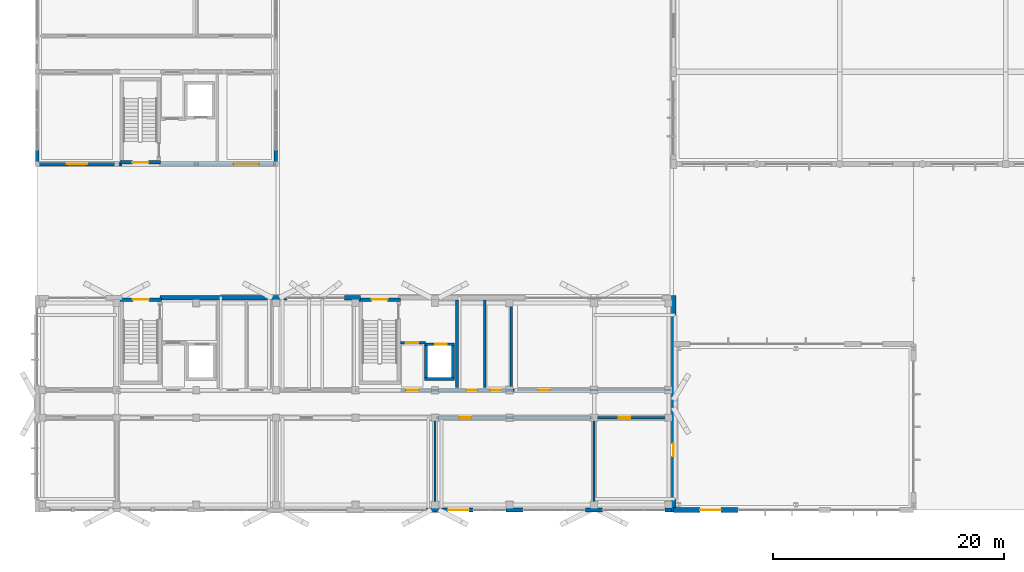
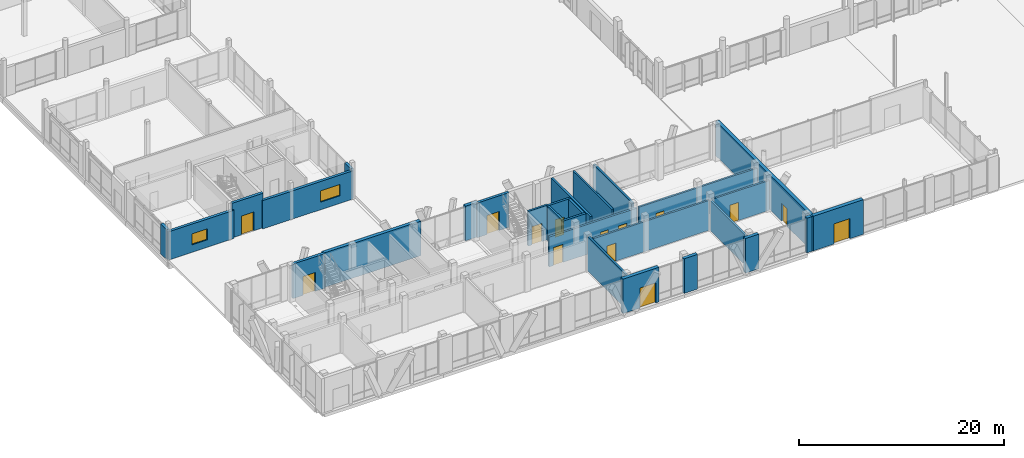
# One storey, part 191 of 233: 29 walls, 14 doors, 2 windows, 16 openings.
"""IFC4 building model written with IfcOpenShell, lengths in metres."""

from ifc_helpers import new_model, si_unit, direction, frame, frame_2d, origin, origin_with_axes, place, context, subcontext, project, spatial, rectangle, extrude, material, layer, layer_set, type_object, element, fill, save


model = new_model("IFC4")

# Units and contexts
model_context = context("Model", 3, precision=1e-05, world=origin(), true_north=direction((0.0, 1.0)))
body_context = subcontext(model_context, "Body", "Model", "MODEL_VIEW")
ifc_project = project(units=[si_unit("LENGTHUNIT", "METRE"), si_unit("AREAUNIT", "SQUARE_METRE"), si_unit("VOLUMEUNIT", "CUBIC_METRE"), si_unit("PLANEANGLEUNIT", "RADIAN"), si_unit("MASSUNIT", "GRAM", prefix="KILO")], contexts=[model_context])

# Site, building, storey
site_placement = place(None, origin())
site = spatial("IfcSite", under=ifc_project, at=site_placement, CompositionType="ELEMENT")
building_placement = place(site_placement, origin())
building = spatial("IfcBuilding", under=site, at=building_placement, Name="Zavelmont Quarter", CompositionType="ELEMENT")
storey_placement = place(building_placement, origin())
storey = spatial("IfcBuildingStorey", under=building, at=storey_placement, Name="L00", CompositionType="ELEMENT", Elevation=0.0)

# Wall, opening, door
ifc_material_1 = material(Name="Natural Belgian limestone", Category="masonry")
ifc_layer_1 = layer(ifc_material_1, 0.3798828125)
ifc_layer_set_1 = layer_set([ifc_layer_1], Name="Natural Belgian limestone")
wall_type_1 = type_object("IfcWallType", Name="EW01", PredefinedType="STANDARD", material=ifc_layer_set_1)
wall_1_placement = place(storey_placement, frame((33.75, 0.0, 0.0), z_axis=(0.0, 0.0, 1.0), x_axis=(1.0, 0.0, 0.0)))
wall_1 = element("IfcWall", 1, at=wall_1_placement, inside=storey, type_object=wall_type_1, Name="L00 exterior limestone wall EW01", PredefinedType="STANDARD", context=body_context, shape_type="SweptSolid", body=[
    extrude(rectangle(XDim=4.050048828125, YDim=0.3798828125, at=frame_2d((2.02490234375, 0.0))), origin(), (0.0, 0.0, 1.0), 4.1201171875),
])
opening_1_placement = place(wall_1_placement, frame((1.89990234375, 0.0, 0.0)))
opening_1 = element("IfcOpeningElement", 2, at=opening_1_placement, cuts=wall_1, Name="Opening DR01", PredefinedType="OPENING", context=body_context, shape_type="SweptSolid", body=[
    extrude(rectangle(XDim=1.800048828125, YDim=2.39990234375, at=frame_2d((0.89990234375, 1.199951171875))), frame((0.0, 0.201904296875, 0.0), z_axis=(0.0, -1.0, 0.0), x_axis=(1.0, 0.0, 0.0)), (0.0, 0.0, 1.0), 0.40380859375),
])
ifc_material_2 = material(Name="Powder-coated aluminium and tempered double safety glass", Category="aluminium")
door_type_1 = type_object("IfcDoorType", Name="DR01", OperationType="DOUBLE_DOOR_SINGLE_SWING", PredefinedType="DOOR", material=ifc_material_2)
door_1_placement = place(opening_1_placement, frame((1.800048828125, 0.0, 0.0), z_axis=(0.0, 0.0, 1.0), x_axis=(-1.0, 0.0, 0.0)))
door_1 = element("IfcDoor", 3, at=door_1_placement, inside=storey, type_object=door_type_1, Name="Block A street entrance final exit door", OperationType="DOUBLE_DOOR_SINGLE_SWING", OverallHeight=2.39990234375, OverallWidth=1.800048828125, PredefinedType="DOOR", context=body_context, shape_type="SweptSolid", body=[
    extrude(rectangle(XDim=1.800048828125, YDim=2.39990234375, at=frame_2d((0.89990234375, 1.199951171875))), frame((0.0, 0.02490234375, 0.0), z_axis=(0.0, -1.0, 0.0), x_axis=(1.0, 0.0, 0.0)), (0.0, 0.0, 1.0), 0.050048828125),
])
fill(opening_1, door_1)

# Walls
for number, where, z_axis, x_axis, name in (
    (4, (40.64990234375, 0.0, 0.0), (0.0, 0.0, 1.0), (1.0, 0.0, 0.0), "L00 exterior limestone wall EW01"),
    (5, (47.550048828125, 0.0, 0.0), (0.0, 0.0, 1.0), (1.0, 0.0, 0.0), "L00 exterior limestone wall EW01"),
):
    element("IfcWall", number, at=place(storey_placement, frame(where, z_axis=z_axis, x_axis=x_axis)), inside=storey, type_object=wall_type_1, Name=name, PredefinedType="STANDARD", context=body_context, shape_type="SweptSolid", body=[
        extrude(rectangle(XDim=1.5, YDim=0.3798828125, at=frame_2d((0.75, 0.0))), origin(), (0.0, 0.0, 1.0), 4.1201171875),
    ])
wall_2_placement = place(storey_placement, frame((54.449951171875, 0.0, 0.0), z_axis=(0.0, 0.0, 1.0), x_axis=(1.0, 0.0, 0.0)))
element("IfcWall", 6, at=wall_2_placement, inside=storey, type_object=wall_type_1, Name="L00 exterior limestone wall EW01", PredefinedType="STANDARD", context=body_context, shape_type="SweptSolid", body=[
    extrude(rectangle(XDim=0.570068359375, YDim=0.3798828125, at=frame_2d((0.28515625, 0.0))), origin(), (0.0, 0.0, 1.0), 4.1201171875),
])
wall_3_placement = place(storey_placement, frame((10.64990234375, 18.39990234375, 0.0), z_axis=(0.0, 0.0, 1.0), x_axis=(1.0, 0.0, 0.0)))
element("IfcWall", 7, at=wall_3_placement, inside=storey, type_object=wall_type_1, Name="L00 exterior limestone wall EW01", PredefinedType="STANDARD", context=body_context, shape_type="SweptSolid", body=[
    extrude(rectangle(XDim=11.0, YDim=0.3798828125, at=frame_2d((5.5, 0.0))), origin(), (0.0, 0.0, 1.0), 4.1201171875),
])
wall_4_placement = place(storey_placement, frame((26.64990234375, 18.39990234375, 0.0), z_axis=(0.0, 0.0, 1.0), x_axis=(1.0, 0.0, 0.0)))
element("IfcWall", 8, at=wall_4_placement, inside=storey, type_object=wall_type_1, Name="L00 exterior limestone wall EW01", PredefinedType="STANDARD", context=body_context, shape_type="SweptSolid", body=[
    extrude(rectangle(XDim=1.400146484375, YDim=0.3798828125, at=frame_2d((0.7001953125, 0.0))), origin(), (0.0, 0.0, 1.0), 4.1201171875),
])

# Wall, opening, door
wall_5_placement = place(storey_placement, frame((55.199951171875, -0.18994140625, 0.0), z_axis=(0.0, 0.0, 1.0), x_axis=(0.0, 1.0, 0.0)))
wall_5 = element("IfcWall", 9, at=wall_5_placement, inside=storey, type_object=wall_type_1, Name="L00 exterior limestone wall EW01", PredefinedType="STANDARD", context=body_context, shape_type="SweptSolid", body=[
    extrude(rectangle(XDim=18.780029296875, YDim=0.3798828125, at=frame_2d((9.39013671875, 0.0))), origin(), (0.0, 0.0, 1.0), 4.1201171875),
])
opening_2_placement = place(wall_5_placement, frame((4.840087890625, 0.0, 0.0)))
opening_2 = element("IfcOpeningElement", 10, at=opening_2_placement, cuts=wall_5, Name="Opening DR04B", PredefinedType="OPENING", context=body_context, shape_type="SweptSolid", body=[
    extrude(rectangle(XDim=1.10009765625, YDim=2.10009765625, at=frame_2d((0.550048828125, 1.050048828125))), frame((0.0, 0.201904296875, 0.0), z_axis=(0.0, -1.0, 0.0), x_axis=(1.0, 0.0, 0.0)), (0.0, 0.0, 1.0), 0.40380859375),
])
ifc_material_3 = material(Name="Thermally broken aluminium and double safety glass", Category="aluminium")
door_type_2 = type_object("IfcDoorType", Name="DR04B", OperationType="NOTDEFINED", PredefinedType="DOOR", material=ifc_material_3)
door_2_placement = place(opening_2_placement, origin_with_axes())
door_2 = element("IfcDoor", 11, at=door_2_placement, inside=storey, type_object=door_type_2, Name="Block A L00 street arcade link door", OperationType="SINGLE_SWING_LEFT", OverallHeight=2.10009765625, OverallWidth=1.10009765625, PredefinedType="DOOR", context=body_context, shape_type="SweptSolid", body=[
    extrude(rectangle(XDim=1.10009765625, YDim=2.10009765625, at=frame_2d((0.550048828125, 1.050048828125))), frame((0.0, 0.02490234375, 0.0), z_axis=(0.0, -1.0, 0.0), x_axis=(1.0, 0.0, 0.0)), (0.0, 0.0, 1.0), 0.050048828125),
])
fill(opening_2, door_2)

ifc_layer_2 = layer(ifc_material_1, 0.419921875)
ifc_layer_set_2 = layer_set([ifc_layer_2], Name="Natural Belgian limestone")
wall_type_2 = type_object("IfcWallType", Name="EW04", PredefinedType="STANDARD", material=ifc_layer_set_2)
wall_6_placement = place(storey_placement, frame((55.199951171875, 0.0, 0.0), z_axis=(0.0, 0.0, 1.0), x_axis=(1.0, 0.0, 0.0)))
wall_6 = element("IfcWall", 12, at=wall_6_placement, inside=storey, type_object=wall_type_2, Name="L00 exterior limestone wall EW04", PredefinedType="STANDARD", context=body_context, shape_type="SweptSolid", body=[
    extrude(rectangle(XDim=5.60009765625, YDim=0.419921875, at=frame_2d((2.800048828125, 0.0))), origin(), (0.0, 0.0, 1.0), 4.1201171875),
])
opening_3_placement = place(wall_6_placement, frame((2.300048828125, 0.0, 0.0)))
opening_3 = element("IfcOpeningElement", 13, at=opening_3_placement, cuts=wall_6, Name="Opening DR01", PredefinedType="OPENING", context=body_context, shape_type="SweptSolid", body=[
    extrude(rectangle(XDim=1.800048828125, YDim=2.39990234375, at=frame_2d((0.89990234375, 1.199951171875))), frame((0.0, 0.221923828125, 0.0), z_axis=(0.0, -1.0, 0.0), x_axis=(1.0, 0.0, 0.0)), (0.0, 0.0, 1.0), 0.44384765625),
])
door_3_placement = place(opening_3_placement, frame((1.800048828125, 0.0, 0.0), z_axis=(0.0, 0.0, 1.0), x_axis=(-1.0, 0.0, 0.0)))
door_3 = element("IfcDoor", 14, at=door_3_placement, inside=storey, type_object=door_type_1, Name="L00 exterior door DR01", OperationType="DOUBLE_DOOR_SINGLE_SWING", OverallHeight=2.39990234375, OverallWidth=1.800048828125, PredefinedType="DOOR", context=body_context, shape_type="SweptSolid", body=[
    extrude(rectangle(XDim=1.800048828125, YDim=2.39990234375, at=frame_2d((0.89990234375, 1.199951171875))), frame((0.0, 0.02490234375, 0.0), z_axis=(0.0, -1.0, 0.0), x_axis=(1.0, 0.0, 0.0)), (0.0, 0.0, 1.0), 0.050048828125),
])
fill(opening_3, door_3)

# Walls
ifc_layer_3 = layer(ifc_material_1, 0.31005859375)
ifc_layer_set_3 = layer_set([ifc_layer_3], Name="Natural Belgian limestone")
wall_type_3 = type_object("IfcWallType", Name="EW06", PredefinedType="STANDARD", material=ifc_layer_set_3)
for number, where, z_axis, x_axis, name in (
    (15, (0.0, 30.0, 0.0), (0.0, 0.0, 1.0), (0.0, 1.0, 0.0), "L00 exterior limestone wall EW06"),
    (16, (20.699951171875, 30.0, 0.0), (0.0, 0.0, 1.0), (0.0, 1.0, 0.0), "L00 exterior limestone wall EW06"),
):
    element("IfcWall", number, at=place(storey_placement, frame(where, z_axis=z_axis, x_axis=x_axis)), inside=storey, type_object=wall_type_3, Name=name, PredefinedType="STANDARD", context=body_context, shape_type="SweptSolid", body=[
        extrude(rectangle(XDim=1.199951171875, YDim=0.31005859375, at=frame_2d((0.60009765625, 0.0))), origin(), (0.0, 0.0, 1.0), 3.56005859375),
    ])

# Wall, opening, window
wall_7_placement = place(storey_placement, frame((0.0, 30.0, 0.0), z_axis=(0.0, 0.0, 1.0), x_axis=(1.0, 0.0, 0.0)))
wall_7 = element("IfcWall", 17, at=wall_7_placement, inside=storey, type_object=wall_type_3, Name="L00 exterior limestone wall EW06", PredefinedType="STANDARD", context=body_context, shape_type="SweptSolid", body=[
    extrude(rectangle(XDim=7.35009765625, YDim=0.31005859375, at=frame_2d((3.675048828125, 0.0))), origin(), (0.0, 0.0, 1.0), 3.360107421875),
])
opening_4_placement = place(wall_7_placement, frame((2.574951171875, 0.0, 0.89990234375)))
opening_4 = element("IfcOpeningElement", 18, at=opening_4_placement, cuts=wall_7, Name="Opening WN16", PredefinedType="OPENING", context=body_context, shape_type="SweptSolid", body=[
    extrude(rectangle(XDim=1.75, YDim=1.300048828125, at=frame_2d((0.875, 0.64990234375))), frame((0.0, 0.1669921875, 0.0), z_axis=(0.0, -1.0, 0.0), x_axis=(1.0, 0.0, 0.0)), (0.0, 0.0, 1.0), 0.333984375),
])
ifc_material_4 = material(Name="Double low-E insulated glazing in thermally broken aluminium frame", Category="aluminium")
window_type_1 = type_object("IfcWindowType", Name="WN16", PartitioningType="SINGLE_PANEL", PredefinedType="WINDOW", material=ifc_material_4)
window_1_placement = place(opening_4_placement, origin_with_axes())
window_1 = element("IfcWindow", 19, at=window_1_placement, inside=storey, type_object=window_type_1, Name="L00 window WN16", OverallHeight=1.300048828125, OverallWidth=1.75, PartitioningType="SINGLE_PANEL", PredefinedType="WINDOW", context=body_context, shape_type="SweptSolid", body=[
    extrude(rectangle(XDim=1.75, YDim=1.300048828125, at=frame_2d((0.875, 0.64990234375))), frame((0.0, 0.030029296875, 0.0), z_axis=(0.0, -1.0, 0.0), x_axis=(1.0, 0.0, 0.0)), (0.0, 0.0, 1.0), 0.06005859375),
])
fill(opening_4, window_1)

wall_8_placement = place(storey_placement, frame((10.550048828125, 30.0, 0.0), z_axis=(0.0, 0.0, 1.0), x_axis=(1.0, 0.0, 0.0)))
wall_8 = element("IfcWall", 20, at=wall_8_placement, inside=storey, type_object=wall_type_3, Name="L00 exterior limestone wall EW06", PredefinedType="STANDARD", context=body_context, shape_type="SweptSolid", body=[
    extrude(rectangle(XDim=10.14990234375, YDim=0.31005859375, at=frame_2d((5.074951171875, 0.0))), origin(), (0.0, 0.0, 1.0), 3.360107421875),
])
opening_5_placement = place(wall_8_placement, frame((6.5, 0.0, 0.89990234375)))
opening_5 = element("IfcOpeningElement", 21, at=opening_5_placement, cuts=wall_8, Name="Opening WN17", PredefinedType="OPENING", context=body_context, shape_type="SweptSolid", body=[
    extrude(rectangle(XDim=2.199951171875, YDim=1.35009765625, at=frame_2d((1.10009765625, 0.675048828125))), frame((0.0, 0.1669921875, 0.0), z_axis=(0.0, -1.0, 0.0), x_axis=(1.0, 0.0, 0.0)), (0.0, 0.0, 1.0), 0.333984375),
])
window_type_2 = type_object("IfcWindowType", Name="WN17", PartitioningType="SINGLE_PANEL", PredefinedType="WINDOW", material=ifc_material_4)
window_2_placement = place(opening_5_placement, origin_with_axes())
window_2 = element("IfcWindow", 22, at=window_2_placement, inside=storey, type_object=window_type_2, Name="L00 window WN17", OverallHeight=1.35009765625, OverallWidth=2.199951171875, PartitioningType="SINGLE_PANEL", PredefinedType="WINDOW", context=body_context, shape_type="SweptSolid", body=[
    extrude(rectangle(XDim=2.199951171875, YDim=1.35009765625, at=frame_2d((1.10009765625, 0.675048828125))), frame((0.0, 0.030029296875, 0.0), z_axis=(0.0, -1.0, 0.0), x_axis=(1.0, 0.0, 0.0)), (0.0, 0.0, 1.0), 0.06005859375),
])
fill(opening_5, window_2)

# Walls
ifc_material_5 = material(Name="Calcium-silicate blockwork and acoustic plaster", Category="masonry")
ifc_layer_4 = layer(ifc_material_5, 0.199951171875)
ifc_layer_set_4 = layer_set([ifc_layer_4], Name="Calcium-silicate blockwork and acoustic plaster")
wall_type_4 = type_object("IfcWallType", Name="IW01", PredefinedType="PARTITIONING", material=ifc_layer_set_4)
for number, where, z_axis, x_axis, name in (
    (23, (38.824951171875, 10.60009765625, 0.0), (0.0, 0.0, 1.0), (0.0, 1.0, 0.0), "L00 Service riser divider wall IW01"),
    (24, (41.1201171875, 10.60009765625, 0.0), (0.0, 0.0, 1.0), (0.0, 1.0, 0.0), "L00 Core service end wall IW01"),
):
    element("IfcWall", number, at=place(storey_placement, frame(where, z_axis=z_axis, x_axis=x_axis)), inside=storey, type_object=wall_type_4, Name=name, PredefinedType="PARTITIONING", context=body_context, shape_type="SweptSolid", body=[
        extrude(rectangle(XDim=7.599853515625, YDim=0.199951171875, at=frame_2d((3.7998046875, 0.0))), origin(), (0.0, 0.0, 1.0), 4.1201171875),
    ])
wall_9_placement = place(storey_placement, frame((34.5, 0.25, 0.0), z_axis=(0.0, 0.0, 1.0), x_axis=(0.0, 1.0, 0.0)))
element("IfcWall", 25, at=wall_9_placement, inside=storey, type_object=wall_type_4, Name="L00 Interior partition IW01", PredefinedType="PARTITIONING", context=body_context, shape_type="SweptSolid", body=[
    extrude(rectangle(XDim=7.60009765625, YDim=0.199951171875, at=frame_2d((3.800048828125, 0.0))), origin(), (0.0, 0.0, 1.0), 4.1201171875),
])

# Wall, opening, door
wall_10_placement = place(storey_placement, frame((34.64990234375, 8.0, 0.0), z_axis=(0.0, 0.0, 1.0), x_axis=(1.0, 0.0, 0.0)))
wall_10 = element("IfcWall", 26, at=wall_10_placement, inside=storey, type_object=wall_type_4, Name="L00 Pram and Cargo Bike Room corridor wall IW01", PredefinedType="PARTITIONING", context=body_context, shape_type="SweptSolid", body=[
    extrude(rectangle(XDim=13.5, YDim=0.199951171875, at=frame_2d((6.75, 0.0))), origin(), (0.0, 0.0, 1.0), 3.56005859375),
])
opening_6_placement = place(wall_10_placement, frame((2.0, 0.0, 0.0)))
opening_6 = element("IfcOpeningElement", 27, at=opening_6_placement, cuts=wall_10, Name="Opening DR07", PredefinedType="OPENING", context=body_context, shape_type="SweptSolid", body=[
    extrude(rectangle(XDim=1.0, YDim=2.14990234375, at=frame_2d((0.5, 1.074951171875))), frame((0.0, 0.11181640625, 0.0), z_axis=(0.0, -1.0, 0.0), x_axis=(1.0, 0.0, 0.0)), (0.0, 0.0, 1.0), 0.223876953125),
])
ifc_material_6 = material(Name="Solid-core oak fire leaf in steel frame", Category="steel")
door_type_3 = type_object("IfcDoorType", Name="DR07", OperationType="NOTDEFINED", PredefinedType="DOOR", material=ifc_material_6)
door_4_placement = place(opening_6_placement, origin_with_axes())
door_4 = element("IfcDoor", 28, at=door_4_placement, inside=storey, type_object=door_type_3, Name="L00 door DR07", OperationType="SINGLE_SWING_RIGHT", OverallHeight=2.14990234375, OverallWidth=1.0, PredefinedType="DOOR", context=body_context, shape_type="SweptSolid", body=[
    extrude(rectangle(XDim=1.0, YDim=2.14990234375, at=frame_2d((0.5, 1.074951171875))), frame((0.0, 0.02490234375, 0.0), z_axis=(0.0, -1.0, 0.0), x_axis=(1.0, 0.0, 0.0)), (0.0, 0.0, 1.0), 0.050048828125),
])
fill(opening_6, door_4)

# Wall
wall_11_placement = place(storey_placement, frame((48.300048828125, 0.25, 0.0), z_axis=(0.0, 0.0, 1.0), x_axis=(0.0, 1.0, 0.0)))
element("IfcWall", 29, at=wall_11_placement, inside=storey, type_object=wall_type_4, Name="L00 Interior partition IW01", PredefinedType="PARTITIONING", context=body_context, shape_type="SweptSolid", body=[
    extrude(rectangle(XDim=7.60009765625, YDim=0.199951171875, at=frame_2d((3.800048828125, 0.0))), origin(), (0.0, 0.0, 1.0), 3.56005859375),
])

# Wall, opening, door
wall_12_placement = place(storey_placement, frame((48.449951171875, 8.0, 0.0), z_axis=(0.0, 0.0, 1.0), x_axis=(1.0, 0.0, 0.0)))
wall_12 = element("IfcWall", 30, at=wall_12_placement, inside=storey, type_object=wall_type_4, Name="L00 Accessible Toilet corridor wall IW01", PredefinedType="PARTITIONING", context=body_context, shape_type="SweptSolid", body=[
    extrude(rectangle(XDim=6.449951171875, YDim=0.199951171875, at=frame_2d((3.22509765625, 0.0))), origin(), (0.0, 0.0, 1.0), 3.56005859375),
])
opening_7_placement = place(wall_12_placement, frame((2.0, 0.0, 0.0)))
opening_7 = element("IfcOpeningElement", 31, at=opening_7_placement, cuts=wall_12, Name="Opening DR07", PredefinedType="OPENING", context=body_context, shape_type="SweptSolid", body=[
    extrude(rectangle(XDim=1.0, YDim=2.14990234375, at=frame_2d((0.5, 1.074951171875))), frame((0.0, 0.11181640625, 0.0), z_axis=(0.0, -1.0, 0.0), x_axis=(1.0, 0.0, 0.0)), (0.0, 0.0, 1.0), 0.223876953125),
])
door_5_placement = place(opening_7_placement, frame((1.0, 0.0, 0.0), z_axis=(0.0, 0.0, 1.0), x_axis=(-1.0, 0.0, 0.0)))
door_5 = element("IfcDoor", 32, at=door_5_placement, inside=storey, type_object=door_type_3, Name="L00 door DR07", OperationType="SINGLE_SWING_LEFT", OverallHeight=2.14990234375, OverallWidth=1.0, PredefinedType="DOOR", context=body_context, shape_type="SweptSolid", body=[
    extrude(rectangle(XDim=1.0, YDim=2.14990234375, at=frame_2d((0.5, 1.074951171875))), frame((0.0, 0.02490234375, 0.0), z_axis=(0.0, -1.0, 0.0), x_axis=(1.0, 0.0, 0.0)), (0.0, 0.0, 1.0), 0.050048828125),
])
fill(opening_7, door_5)

wall_13_placement = place(storey_placement, frame((41.60009765625, 10.39990234375, 0.0), z_axis=(0.0, 0.0, 1.0), x_axis=(1.0, 0.0, 0.0)))
wall_13 = element("IfcWall", 33, at=wall_13_placement, inside=storey, type_object=wall_type_4, Name="L00 Interior partition IW01", PredefinedType="PARTITIONING", context=body_context, shape_type="SweptSolid", body=[
    extrude(rectangle(XDim=13.349853515625, YDim=0.199951171875, at=frame_2d((6.6748046875, 0.0))), origin(), (0.0, 0.0, 1.0), 3.56005859375),
])
opening_8_placement = place(wall_13_placement, frame((1.89990234375, 0.0, 0.0)))
opening_8 = element("IfcOpeningElement", 34, at=opening_8_placement, cuts=wall_13, Name="Opening DR02", PredefinedType="OPENING", context=body_context, shape_type="SweptSolid", body=[
    extrude(rectangle(XDim=0.949951171875, YDim=2.14990234375, at=frame_2d((0.47509765625, 1.074951171875))), frame((0.0, 0.11181640625, 0.0), z_axis=(0.0, -1.0, 0.0), x_axis=(1.0, 0.0, 0.0)), (0.0, 0.0, 1.0), 0.223876953125),
])
door_type_4 = type_object("IfcDoorType", Name="DR02", OperationType="NOTDEFINED", PredefinedType="DOOR", material=ifc_material_6)
door_6_placement = place(opening_8_placement, origin_with_axes())
door_6 = element("IfcDoor", 35, at=door_6_placement, inside=storey, type_object=door_type_4, Name="L00 door DR02", OperationType="SINGLE_SWING_LEFT", OverallHeight=2.14990234375, OverallWidth=0.949951171875, PredefinedType="DOOR", context=body_context, shape_type="SweptSolid", body=[
    extrude(rectangle(XDim=0.949951171875, YDim=2.14990234375, at=frame_2d((0.47509765625, 1.074951171875))), frame((0.0, 0.02490234375, 0.0), z_axis=(0.0, -1.0, 0.0), x_axis=(1.0, 0.0, 0.0)), (0.0, 0.0, 1.0), 0.050048828125),
])
fill(opening_8, door_6)

# Wall
ifc_material_7 = material(Name="Reinforced masonry fire compartment wall", Category="masonry")
ifc_layer_5 = layer(ifc_material_7, 0.22509765625)
ifc_layer_set_5 = layer_set([ifc_layer_5], Name="Reinforced masonry fire compartment wall")
wall_type_5 = type_object("IfcWallType", Name="IW02", PredefinedType="PARTITIONING", material=ifc_layer_set_5)
wall_14_placement = place(storey_placement, frame((36.409912109375, 10.60009765625, 0.0), z_axis=(0.0, 0.0, 1.0), x_axis=(0.0, 1.0, 0.0)))
element("IfcWall", 36, at=wall_14_placement, inside=storey, type_object=wall_type_5, Name="L00 Firefighting lobby enclosure wall IW02", PredefinedType="PARTITIONING", context=body_context, shape_type="SweptSolid", body=[
    extrude(rectangle(XDim=7.599853515625, YDim=0.22509765625, at=frame_2d((3.7998046875, 0.0))), origin(), (0.0, 0.0, 1.0), 4.1201171875),
])

# Wall, opening, door
wall_15_placement = place(storey_placement, frame((31.5, 14.5, 0.0), z_axis=(0.0, 0.0, 1.0), x_axis=(1.0, 0.0, 0.0)))
wall_15 = element("IfcWall", 37, at=wall_15_placement, inside=storey, type_object=wall_type_5, Name="L00 Firefighting lobby threshold wall IW02", PredefinedType="PARTITIONING", context=body_context, shape_type="SweptSolid", body=[
    extrude(rectangle(XDim=2.199951171875, YDim=0.22509765625, at=frame_2d((1.10009765625, 0.0))), origin(), (0.0, 0.0, 1.0), 4.1201171875),
])
opening_9_placement = place(wall_15_placement, frame((0.449951171875, 0.0, 0.0)))
opening_9 = element("IfcOpeningElement", 38, at=opening_9_placement, cuts=wall_15, Name="Opening DR10", PredefinedType="OPENING", context=body_context, shape_type="SweptSolid", body=[
    extrude(rectangle(XDim=1.10009765625, YDim=2.14990234375, at=frame_2d((0.550048828125, 1.074951171875))), frame((0.0, 0.12451171875, 0.0), z_axis=(0.0, -1.0, 0.0), x_axis=(1.0, 0.0, 0.0)), (0.0, 0.0, 1.0), 0.2490234375),
])
ifc_material_8 = material(Name="Painted steel lobby fire door", Category="steel")
door_type_5 = type_object("IfcDoorType", Name="DR10", OperationType="NOTDEFINED", PredefinedType="DOOR", material=ifc_material_8)
door_7_placement = place(opening_9_placement, origin_with_axes())
door_7 = element("IfcDoor", 39, at=door_7_placement, inside=storey, type_object=door_type_5, Name="Firefighting lobby fire door", OperationType="SINGLE_SWING_LEFT", OverallHeight=2.14990234375, OverallWidth=1.10009765625, PredefinedType="DOOR", context=body_context, shape_type="SweptSolid", body=[
    extrude(rectangle(XDim=1.10009765625, YDim=2.14990234375, at=frame_2d((0.550048828125, 1.074951171875))), frame((0.0, 0.02490234375, 0.0), z_axis=(0.0, -1.0, 0.0), x_axis=(1.0, 0.0, 0.0)), (0.0, 0.0, 1.0), 0.050048828125),
])
fill(opening_9, door_7)

# Wall, openings, doors
wall_16_placement = place(storey_placement, frame((31.5, 10.39990234375, 0.0), z_axis=(0.0, 0.0, 1.0), x_axis=(1.0, 0.0, 0.0)))
wall_16 = element("IfcWall", 40, at=wall_16_placement, inside=storey, type_object=wall_type_5, Name="L00 Core corridor fire wall IW02", PredefinedType="PARTITIONING", context=body_context, shape_type="SweptSolid", body=[
    extrude(rectangle(XDim=9.89990234375, YDim=0.22509765625, at=frame_2d((4.949951171875, 0.0))), origin(), (0.0, 0.0, 1.0), 3.56005859375),
])
opening_10_placement = place(wall_16_placement, frame((0.47509765625, 0.0, 0.0)))
opening_10 = element("IfcOpeningElement", 41, at=opening_10_placement, cuts=wall_16, Name="Opening DR10", PredefinedType="OPENING", context=body_context, shape_type="SweptSolid", body=[
    extrude(rectangle(XDim=1.10009765625, YDim=2.14990234375, at=frame_2d((0.550048828125, 1.074951171875))), frame((0.0, 0.12451171875, 0.0), z_axis=(0.0, -1.0, 0.0), x_axis=(1.0, 0.0, 0.0)), (0.0, 0.0, 1.0), 0.2490234375),
])
opening_11_placement = place(wall_16_placement, frame((5.75, 0.0, 0.0)))
opening_11 = element("IfcOpeningElement", 42, at=opening_11_placement, cuts=wall_16, Name="Opening DR11", PredefinedType="OPENING", context=body_context, shape_type="SweptSolid", body=[
    extrude(rectangle(XDim=0.89990234375, YDim=2.10009765625, at=frame_2d((0.449951171875, 1.050048828125))), frame((0.0, 0.12451171875, 0.0), z_axis=(0.0, -1.0, 0.0), x_axis=(1.0, 0.0, 0.0)), (0.0, 0.0, 1.0), 0.2490234375),
])
opening_12_placement = place(wall_16_placement, frame((7.800048828125, 0.0, 0.0)))
opening_12 = element("IfcOpeningElement", 43, at=opening_12_placement, cuts=wall_16, Name="Opening DR02", PredefinedType="OPENING", context=body_context, shape_type="SweptSolid", body=[
    extrude(rectangle(XDim=0.949951171875, YDim=2.14990234375, at=frame_2d((0.47509765625, 1.074951171875))), frame((0.0, 0.12451171875, 0.0), z_axis=(0.0, -1.0, 0.0), x_axis=(1.0, 0.0, 0.0)), (0.0, 0.0, 1.0), 0.2490234375),
])
door_8_placement = place(opening_12_placement, frame((0.949951171875, 0.0, 0.0), z_axis=(0.0, 0.0, 1.0), x_axis=(-1.0, 0.0, 0.0)))
door_8 = element("IfcDoor", 44, at=door_8_placement, inside=storey, type_object=door_type_4, Name="Auxiliary store corridor door", OperationType="SINGLE_SWING_RIGHT", OverallHeight=2.14990234375, OverallWidth=0.949951171875, PredefinedType="DOOR", context=body_context, shape_type="SweptSolid", body=[
    extrude(rectangle(XDim=0.949951171875, YDim=2.14990234375, at=frame_2d((0.47509765625, 1.074951171875))), frame((0.0, 0.02490234375, 0.0), z_axis=(0.0, -1.0, 0.0), x_axis=(1.0, 0.0, 0.0)), (0.0, 0.0, 1.0), 0.050048828125),
])
fill(opening_12, door_8)
door_9_placement = place(opening_10_placement, origin_with_axes())
door_9 = element("IfcDoor", 45, at=door_9_placement, inside=storey, type_object=door_type_5, Name="Core vestibule fire door", OperationType="SINGLE_SWING_RIGHT", OverallHeight=2.14990234375, OverallWidth=1.10009765625, PredefinedType="DOOR", context=body_context, shape_type="SweptSolid", body=[
    extrude(rectangle(XDim=1.10009765625, YDim=2.14990234375, at=frame_2d((0.550048828125, 1.074951171875))), frame((0.0, 0.02490234375, 0.0), z_axis=(0.0, -1.0, 0.0), x_axis=(1.0, 0.0, 0.0)), (0.0, 0.0, 1.0), 0.050048828125),
])
fill(opening_10, door_9)
ifc_material_9 = material(Name="Painted steel service-riser fire door", Category="steel")
door_type_6 = type_object("IfcDoorType", Name="DR11", OperationType="NOTDEFINED", PredefinedType="DOOR", material=ifc_material_9)
door_10_placement = place(opening_11_placement, frame((0.89990234375, 0.0, 0.0), z_axis=(0.0, 0.0, 1.0), x_axis=(-1.0, 0.0, 0.0)))
door_10 = element("IfcDoor", 46, at=door_10_placement, inside=storey, type_object=door_type_6, Name="Service riser fire door", OperationType="SINGLE_SWING_LEFT", OverallHeight=2.10009765625, OverallWidth=0.89990234375, PredefinedType="DOOR", context=body_context, shape_type="SweptSolid", body=[
    extrude(rectangle(XDim=0.89990234375, YDim=2.10009765625, at=frame_2d((0.449951171875, 1.050048828125))), frame((0.0, 0.02490234375, 0.0), z_axis=(0.0, -1.0, 0.0), x_axis=(1.0, 0.0, 0.0)), (0.0, 0.0, 1.0), 0.050048828125),
])
fill(opening_11, door_10)

# Wall, opening, door
ifc_material_10 = material(Name="Concrete C40/50", Category="concrete")
ifc_layer_6 = layer(ifc_material_10, 0.25)
ifc_layer_set_6 = layer_set([ifc_layer_6], Name="Concrete C40/50")
wall_type_6 = type_object("IfcWallType", Name="SW02", PredefinedType="SHEAR", material=ifc_layer_set_6)
wall_17_placement = place(storey_placement, frame((33.60009765625, 14.375, 0.0), z_axis=(0.0, 0.0, 1.0), x_axis=(1.0, 0.0, 0.0)))
wall_17 = element("IfcWall", 47, at=wall_17_placement, inside=storey, type_object=wall_type_6, Name="L00 Lift LF02 landing shaft wall SW02", PredefinedType="SHEAR", context=body_context, shape_type="SweptSolid", body=[
    extrude(rectangle(XDim=2.599853515625, YDim=0.25, at=frame_2d((1.2998046875, 0.0))), origin(), (0.0, 0.0, 1.0), 4.1201171875),
])
opening_13_placement = place(wall_17_placement, frame((0.925048828125, 0.0, 0.0)))
opening_13 = element("IfcOpeningElement", 48, at=opening_13_placement, cuts=wall_17, Name="Opening LD01", PredefinedType="OPENING", context=body_context, shape_type="SweptSolid", body=[
    extrude(rectangle(XDim=1.0, YDim=2.10009765625, at=frame_2d((0.5, 1.050048828125))), frame((0.0, 0.136962890625, 0.0), z_axis=(0.0, -1.0, 0.0), x_axis=(1.0, 0.0, 0.0)), (0.0, 0.0, 1.0), 0.27392578125),
])
ifc_material_11 = material(Name="Brushed stainless-steel automatic sliding landing door", Category="steel")
door_type_7 = type_object("IfcDoorType", Name="LD01", OperationType="SLIDING_TO_LEFT", PredefinedType="DOOR", material=ifc_material_11)
door_11_placement = place(opening_13_placement, origin_with_axes())
door_11 = element("IfcDoor", 49, at=door_11_placement, inside=storey, type_object=door_type_7, Name="Lift LF02 sliding landing door", OperationType="SLIDING_TO_LEFT", OverallHeight=2.10009765625, OverallWidth=1.0, PredefinedType="DOOR", context=body_context, shape_type="SweptSolid", body=[
    extrude(rectangle(XDim=1.0, YDim=2.10009765625, at=frame_2d((0.5, 1.050048828125))), frame((0.0, 0.02490234375, 0.0), z_axis=(0.0, -1.0, 0.0), x_axis=(1.0, 0.0, 0.0)), (0.0, 0.0, 1.0), 0.050048828125),
])
fill(opening_13, door_11)

# Walls
wall_18_placement = place(storey_placement, frame((33.60009765625, 11.375, 0.0), z_axis=(0.0, 0.0, 1.0), x_axis=(1.0, 0.0, 0.0)))
element("IfcWall", 50, at=wall_18_placement, inside=storey, type_object=wall_type_6, Name="L00 Lift LF02 back shaft wall SW02", PredefinedType="SHEAR", context=body_context, shape_type="SweptSolid", body=[
    extrude(rectangle(XDim=2.599853515625, YDim=0.25, at=frame_2d((1.2998046875, 0.0))), origin(), (0.0, 0.0, 1.0), 4.1201171875),
])
for number, where, z_axis, x_axis, name in (
    (51, (33.72509765625, 11.25, 0.0), (0.0, 0.0, 1.0), (0.0, 1.0, 0.0), "L00 Lift LF02 west shaft wall SW02"),
    (52, (36.074951171875, 11.25, 0.0), (0.0, 0.0, 1.0), (0.0, 1.0, 0.0), "L00 Lift LF02 east shaft wall SW02"),
):
    element("IfcWall", number, at=place(storey_placement, frame(where, z_axis=z_axis, x_axis=x_axis)), inside=storey, type_object=wall_type_6, Name=name, PredefinedType="SHEAR", context=body_context, shape_type="SweptSolid", body=[
        extrude(rectangle(XDim=3.25, YDim=0.25, at=frame_2d((1.625, 0.0))), origin(), (0.0, 0.0, 1.0), 4.1201171875),
    ])

# Wall, opening, door
ifc_layer_7 = layer(ifc_material_10, 0.300048828125)
ifc_layer_set_7 = layer_set([ifc_layer_7], Name="Concrete C40/50")
wall_type_7 = type_object("IfcWallType", Name="SW03", PredefinedType="SHEAR", material=ifc_layer_set_7)
wall_19_placement = place(storey_placement, frame((7.199951171875, 18.25, 0.0), z_axis=(0.0, 0.0, 1.0), x_axis=(1.0, 0.0, 0.0)))
wall_19 = element("IfcWall", 53, at=wall_19_placement, inside=storey, type_object=wall_type_7, Name="L00 ST01 outer shear wall SW03", PredefinedType="SHEAR", context=body_context, shape_type="SweptSolid", body=[
    extrude(rectangle(XDim=3.60009765625, YDim=0.300048828125, at=frame_2d((1.800048828125, 0.0))), origin(), (0.0, 0.0, 1.0), 4.1201171875),
])
opening_14_placement = place(wall_19_placement, frame((1.10009765625, 0.0, 0.0)))
opening_14 = element("IfcOpeningElement", 54, at=opening_14_placement, cuts=wall_19, Name="Opening DR15", PredefinedType="OPENING", context=body_context, shape_type="SweptSolid", body=[
    extrude(rectangle(XDim=1.39990234375, YDim=2.25, at=frame_2d((0.699951171875, 1.125))), frame((0.0, 0.162109375, 0.0), z_axis=(0.0, -1.0, 0.0), x_axis=(1.0, 0.0, 0.0)), (0.0, 0.0, 1.0), 0.323974609375),
])
ifc_material_12 = material(Name="Powder-coated steel final-exit stair door", Category="steel")
door_type_8 = type_object("IfcDoorType", Name="DR15", OperationType="DOUBLE_DOOR_SINGLE_SWING", PredefinedType="DOOR", material=ifc_material_12)
door_12_placement = place(opening_14_placement, origin_with_axes())
door_12 = element("IfcDoor", 55, at=door_12_placement, inside=storey, type_object=door_type_8, Name="Block A ST01 courtyard final exit door", OperationType="DOUBLE_DOOR_SINGLE_SWING", OverallHeight=2.25, OverallWidth=1.39990234375, PredefinedType="DOOR", context=body_context, shape_type="SweptSolid", body=[
    extrude(rectangle(XDim=1.39990234375, YDim=2.25, at=frame_2d((0.699951171875, 1.125))), frame((0.0, 0.02490234375, 0.0), z_axis=(0.0, -1.0, 0.0), x_axis=(1.0, 0.0, 0.0)), (0.0, 0.0, 1.0), 0.050048828125),
])
fill(opening_14, door_12)

wall_20_placement = place(storey_placement, frame((27.89990234375, 18.25, 0.0), z_axis=(0.0, 0.0, 1.0), x_axis=(1.0, 0.0, 0.0)))
wall_20 = element("IfcWall", 56, at=wall_20_placement, inside=storey, type_object=wall_type_7, Name="L00 ST02 outer shear wall SW03", PredefinedType="SHEAR", context=body_context, shape_type="SweptSolid", body=[
    extrude(rectangle(XDim=3.60009765625, YDim=0.300048828125, at=frame_2d((1.800048828125, 0.0))), origin(), (0.0, 0.0, 1.0), 4.1201171875),
])
opening_15_placement = place(wall_20_placement, frame((1.10009765625, 0.0, 0.0)))
opening_15 = element("IfcOpeningElement", 57, at=opening_15_placement, cuts=wall_20, Name="Opening DR15", PredefinedType="OPENING", context=body_context, shape_type="SweptSolid", body=[
    extrude(rectangle(XDim=1.39990234375, YDim=2.25, at=frame_2d((0.699951171875, 1.125))), frame((0.0, 0.162109375, 0.0), z_axis=(0.0, -1.0, 0.0), x_axis=(1.0, 0.0, 0.0)), (0.0, 0.0, 1.0), 0.323974609375),
])
door_13_placement = place(opening_15_placement, origin_with_axes())
door_13 = element("IfcDoor", 58, at=door_13_placement, inside=storey, type_object=door_type_8, Name="Block A ST02 courtyard final exit door", OperationType="DOUBLE_DOOR_SINGLE_SWING", OverallHeight=2.25, OverallWidth=1.39990234375, PredefinedType="DOOR", context=body_context, shape_type="SweptSolid", body=[
    extrude(rectangle(XDim=1.39990234375, YDim=2.25, at=frame_2d((0.699951171875, 1.125))), frame((0.0, 0.02490234375, 0.0), z_axis=(0.0, -1.0, 0.0), x_axis=(1.0, 0.0, 0.0)), (0.0, 0.0, 1.0), 0.050048828125),
])
fill(opening_15, door_13)

wall_21_placement = place(storey_placement, frame((7.199951171875, 30.14990234375, 0.0), z_axis=(0.0, 0.0, 1.0), x_axis=(1.0, 0.0, 0.0)))
wall_21 = element("IfcWall", 59, at=wall_21_placement, inside=storey, type_object=wall_type_7, Name="L00 ST13 outer shear wall SW03", PredefinedType="SHEAR", context=body_context, shape_type="SweptSolid", body=[
    extrude(rectangle(XDim=3.5, YDim=0.300048828125, at=frame_2d((1.75, 0.0))), origin(), (0.0, 0.0, 1.0), 4.1201171875),
])
opening_16_placement = place(wall_21_placement, frame((1.050048828125, 0.0, 0.0)))
opening_16 = element("IfcOpeningElement", 60, at=opening_16_placement, cuts=wall_21, Name="Opening DR15", PredefinedType="OPENING", context=body_context, shape_type="SweptSolid", body=[
    extrude(rectangle(XDim=1.39990234375, YDim=2.25, at=frame_2d((0.699951171875, 1.125))), frame((0.0, 0.162109375, 0.0), z_axis=(0.0, -1.0, 0.0), x_axis=(1.0, 0.0, 0.0)), (0.0, 0.0, 1.0), 0.323974609375),
])
door_14_placement = place(opening_16_placement, frame((1.39990234375, 0.0, 0.0), z_axis=(0.0, 0.0, 1.0), x_axis=(-1.0, 0.0, 0.0)))
door_14 = element("IfcDoor", 61, at=door_14_placement, inside=storey, type_object=door_type_8, Name="West Shops South ST13 courtyard final exit door", OperationType="DOUBLE_DOOR_SINGLE_SWING", OverallHeight=2.25, OverallWidth=1.39990234375, PredefinedType="DOOR", context=body_context, shape_type="SweptSolid", body=[
    extrude(rectangle(XDim=1.39990234375, YDim=2.25, at=frame_2d((0.699951171875, 1.125))), frame((0.0, 0.02490234375, 0.0), z_axis=(0.0, -1.0, 0.0), x_axis=(1.0, 0.0, 0.0)), (0.0, 0.0, 1.0), 0.050048828125),
])
fill(opening_16, door_14)

save(model, "model.ifc")
